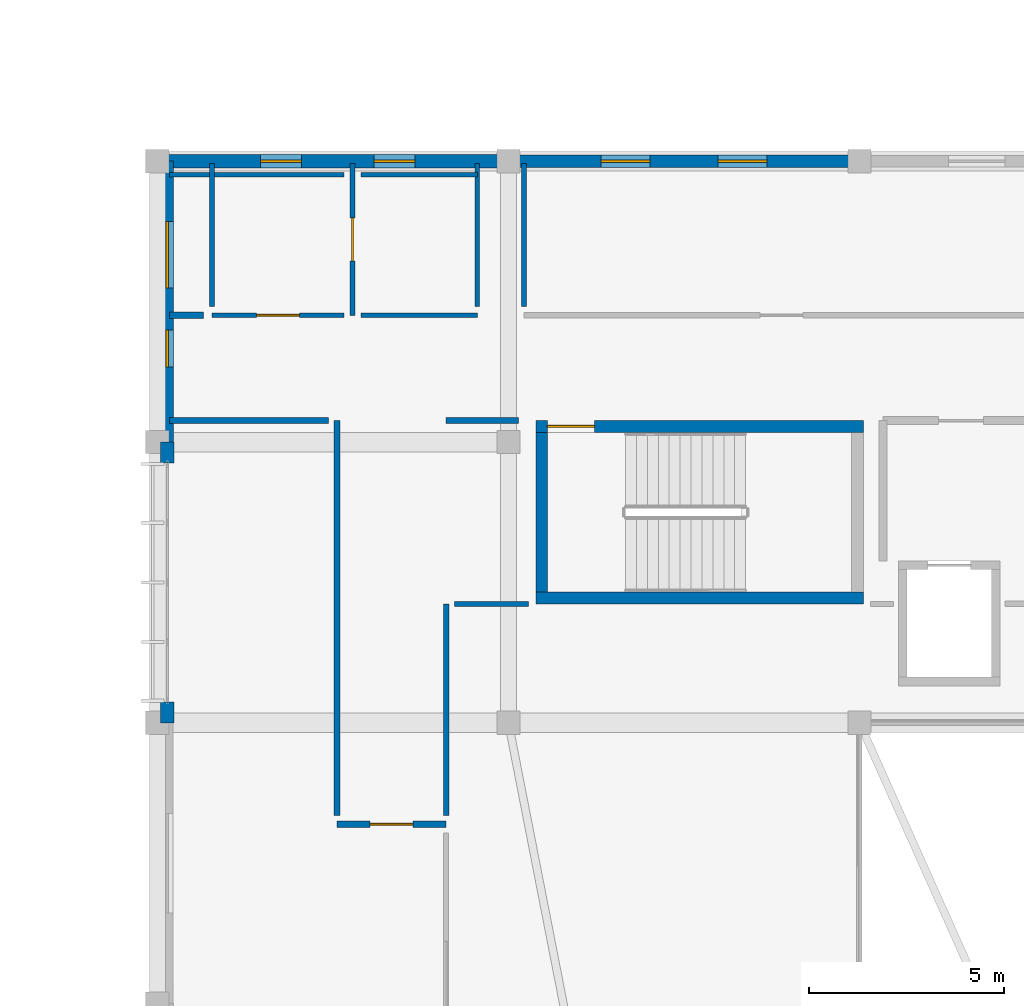
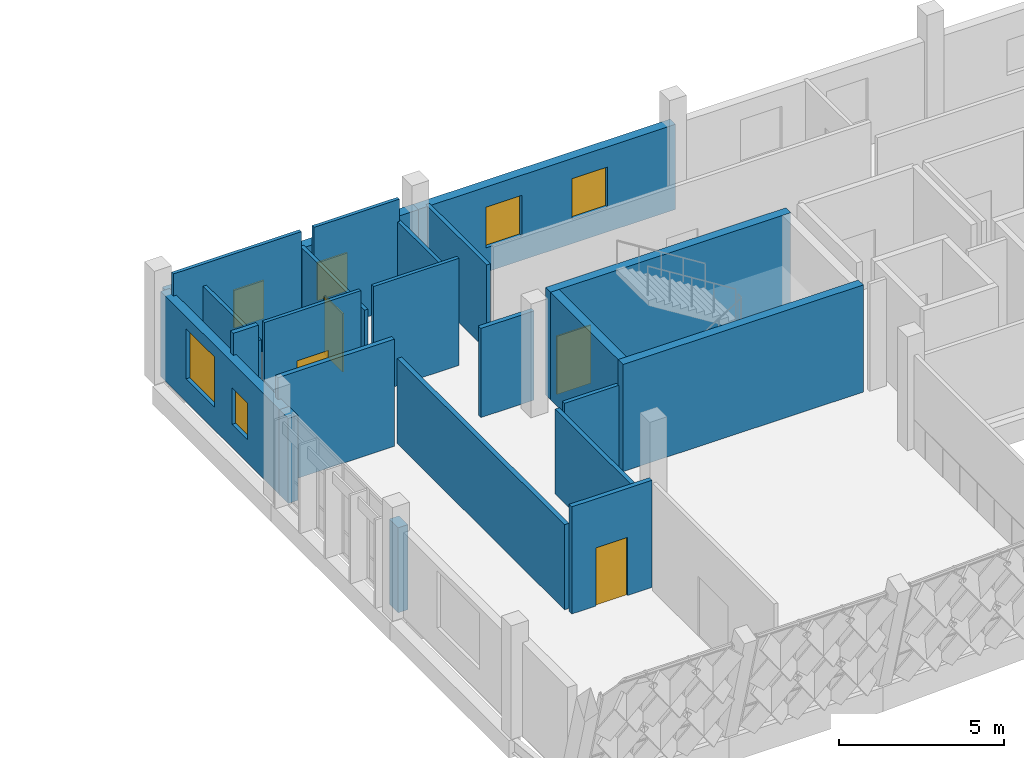
# One storey, part 91 of 107: 23 walls, 6 windows, 4 doors, 10 openings.
"""IFC4 building model written with IfcOpenShell, lengths in metres."""

import ifcopenshell
import ifcopenshell.guid

model = None  # the IFC model being written
_history = None  # IfcOwnerHistory: only IFC2X3 demands one
_inside = {}  # id of a spatial element -> (the spatial element, [elements in it])
_under = {}  # id of a project, library or spatial element -> (it, [spatial elements below it])
_declared = {}  # id of a project -> (the project, [libraries it declares])
_typed = {}  # id of a type object -> (the type object, [elements of that type])
_made_of = {}  # id of a material, layer set ... -> (it, [elements and type objects made of it])


def new_model(schema):
    """Start an empty IFC model of exactly this schema.

    Asked for "IFC4X3", IfcOpenShell would pick the latest addendum, in which some entities
    have other attributes; the version numbers below select the first issue.
    IFC2X3 requires an IfcOwnerHistory on every rooted entity: one is made here for all.
    """
    global model, _history
    if schema == "IFC4X3":
        model = ifcopenshell.file(schema_version=(4, 3, 0, 0))
    else:
        model = ifcopenshell.file(schema=schema)
    _inside.clear()
    _under.clear()
    _declared.clear()
    _typed.clear()
    _made_of.clear()
    _history = None
    if model.schema == "IFC2X3":
        org = make("IfcOrganization", Name="unknown")
        user = make(
            "IfcPersonAndOrganization",
            ThePerson=make("IfcPerson", FamilyName="unknown"),
            TheOrganization=org,
        )
        app = make(
            "IfcApplication",
            ApplicationDeveloper=org,
            Version="unknown",
            ApplicationFullName="unknown",
            ApplicationIdentifier="unknown",
        )
        _history = make(
            "IfcOwnerHistory",
            OwningUser=user,
            OwningApplication=app,
            ChangeAction="ADDED",
            CreationDate=0,
        )
    return model


def make(cls, **values):
    """One entity of the class cls with the attributes given. An attribute that is None is left unset."""
    return model.create_entity(
        cls, **{name: value for name, value in values.items() if value is not None}
    )


def rooted(cls, **values):
    """An entity with a GlobalId (a new one), such as an element, a storey or a relation."""
    return make(cls, GlobalId=ifcopenshell.guid.new(), OwnerHistory=_history, **values)


def si_unit(unit_type, name, prefix=None):
    """IfcSIUnit, for example si_unit("LENGTHUNIT", "METRE", prefix="MILLI")."""
    return make("IfcSIUnit", UnitType=unit_type, Prefix=prefix, Name=name)


def assignment(units):
    """IfcUnitAssignment: the units of a project."""
    return None if units is None else make("IfcUnitAssignment", Units=units)


def point(xyz):
    """IfcCartesianPoint."""
    return None if xyz is None else make("IfcCartesianPoint", Coordinates=xyz)


def direction(xyz):
    """IfcDirection."""
    return None if xyz is None else make("IfcDirection", DirectionRatios=xyz)


def frame(location, z_axis=None, x_axis=None):
    """IfcAxis2Placement3D, a coordinate frame: its origin and axes. An axis left out is left unset."""
    return make(
        "IfcAxis2Placement3D",
        Location=point(location),
        Axis=direction(z_axis),
        RefDirection=direction(x_axis),
    )


def frame_2d(location, x_axis=None):
    """IfcAxis2Placement2D, a coordinate frame in the plane: its origin and x axis."""
    return make(
        "IfcAxis2Placement2D", Location=point(location), RefDirection=direction(x_axis)
    )


def origin():
    """The frame at (0, 0, 0) with its axes left unset."""
    return frame((0.0, 0.0, 0.0))


def place(relative_to, where):
    """IfcLocalPlacement: puts the frame where relative to a parent placement (None: the world)."""
    return make(
        "IfcLocalPlacement", PlacementRelTo=relative_to, RelativePlacement=where
    )


def context(
    kind, dimensions, precision=None, world=None, true_north=None, identifier=None
):
    """IfcGeometricRepresentationContext, for example the 3D "Model" context."""
    return make(
        "IfcGeometricRepresentationContext",
        ContextIdentifier=identifier,
        ContextType=kind,
        CoordinateSpaceDimension=dimensions,
        Precision=precision,
        WorldCoordinateSystem=world,
        TrueNorth=true_north,
    )


def subcontext(parent, identifier, kind, view, scale=None):
    """IfcGeometricRepresentationSubContext, for example "Body" below "Model"."""
    return make(
        "IfcGeometricRepresentationSubContext",
        ContextIdentifier=identifier,
        ContextType=kind,
        ParentContext=parent,
        TargetScale=scale,
        TargetView=view,
    )


def project(units=None, contexts=None):
    """IfcProject with its units and contexts."""
    return rooted(
        "IfcProject",
        Name="project",
        RepresentationContexts=contexts,
        UnitsInContext=assignment(units),
    )


def spatial(cls, under=None, at=None, **own):
    """A site, building, storey or space (cls), placed at a placement, below another one or the project."""
    s = rooted(cls, ObjectPlacement=at, **own)
    if under is not None:
        _under.setdefault(under.id(), (under, []))[1].append(s)
    return s


def profile(cls, at=None, kind="AREA", **sizes):
    """A parametric profile (cls). Its sizes go by their IFC names, for example OverallWidth=200.0."""
    return make(cls, ProfileType=kind, Position=at, **sizes)


def rectangle(**sizes):
    """IfcRectangleProfileDef."""
    return profile("IfcRectangleProfileDef", **sizes)


def extrude(swept, where, along, depth):
    """IfcExtrudedAreaSolid: the profile swept, set in the frame where, extruded along a direction by depth."""
    return make(
        "IfcExtrudedAreaSolid",
        SweptArea=swept,
        Position=where,
        ExtrudedDirection=direction(along),
        Depth=depth,
    )


def shape(context_of_items, identifier, shape_type, items):
    """IfcShapeRepresentation: the items that make up one representation, for example the "Body"."""
    return make(
        "IfcShapeRepresentation",
        ContextOfItems=context_of_items,
        RepresentationIdentifier=identifier,
        RepresentationType=shape_type,
        Items=items,
    )


def material(Name=None, Category=None):
    """IfcMaterial."""
    return make("IfcMaterial", Name=Name, Category=Category)


def layer(
    of_material, thickness, ventilated=None, Name=None, Category=None, Priority=None
):
    """IfcMaterialLayer: one layer of a wall or slab, of a material (None: an air gap)."""
    return make(
        "IfcMaterialLayer",
        Material=of_material,
        LayerThickness=thickness,
        IsVentilated=ventilated,
        Name=Name,
        Category=Category,
        Priority=Priority,
    )


def layer_set(layers, Name=None):
    """IfcMaterialLayerSet."""
    return make("IfcMaterialLayerSet", MaterialLayers=layers, LayerSetName=Name)


def made_of(thing, what):
    """Note that an element or type object is made of a material, layer set ...; save() writes the relation."""
    if what is not None:
        _made_of.setdefault(what.id(), (what, []))[1].append(thing)
    return thing


def type_object(cls, material=None, **own):
    """A type object (cls), such as IfcWallType, which elements share."""
    return made_of(rooted(cls, **own), material)


def element(
    cls,
    number,
    at=None,
    inside=None,
    cuts=None,
    type_object=None,
    material=None,
    context=None,
    identifier="Body",
    shape_type=None,
    held_by="IfcProductDefinitionShape",
    body=None,
    shapes=None,
    **own,
):
    """One element of the class cls, such as IfcWall. Its Tag is "e" and its number.

    at: its placement. inside: the storey or other place that contains it. cuts: it is an
    opening in that element (IfcRelVoidsElement). A single representation is given by context,
    identifier, shape_type and body (its items); several are given by shapes. held_by: the class
    of the entity that holds the representations. save() writes the other relations.
    """
    e = rooted(cls, Tag="e%d" % number, ObjectPlacement=at, **own)
    if body is not None:
        shapes = [shape(context, identifier, shape_type, body)]
    if shapes is not None:
        e.Representation = make(held_by, Representations=shapes)
    if inside is not None:
        _inside.setdefault(inside.id(), (inside, []))[1].append(e)
    if cuts is not None:
        rooted(
            "IfcRelVoidsElement", RelatingBuildingElement=cuts, RelatedOpeningElement=e
        )
    if type_object is not None:
        _typed.setdefault(type_object.id(), (type_object, []))[1].append(e)
    return made_of(e, material)


def fill(opening, filler):
    """IfcRelFillsElement: the door or window that sits in an opening."""
    return rooted(
        "IfcRelFillsElement",
        RelatingOpeningElement=opening,
        RelatedBuildingElement=filler,
    )


def aggregate(whole, parts):
    """IfcRelAggregates: a whole, such as a stair, and the parts it consists of."""
    return rooted("IfcRelAggregates", RelatingObject=whole, RelatedObjects=parts)


def save(model, path):
    """Write the relations noted so far, then the file.

    IfcRelAggregates (storeys below a building ...), IfcRelContainedInSpatialStructure (elements
    in a storey), IfcRelDefinesByType, IfcRelAssociatesMaterial and IfcRelDeclares: one each for
    every whole, place, type object, material and project.
    """
    for whole, parts in _under.values():
        aggregate(whole, parts)
    for where, things in _inside.values():
        rooted(
            "IfcRelContainedInSpatialStructure",
            RelatedElements=things,
            RelatingStructure=where,
        )
    for kind, things in _typed.values():
        rooted("IfcRelDefinesByType", RelatedObjects=things, RelatingType=kind)
    for what, things in _made_of.values():
        rooted("IfcRelAssociatesMaterial", RelatedObjects=things, RelatingMaterial=what)
    for by, libraries in _declared.values():
        rooted("IfcRelDeclares", RelatingContext=by, RelatedDefinitions=libraries)
    model.write(path)


model = new_model("IFC4")

# Units and contexts
model_context = context("Model", 3, precision=1e-05, world=origin(), true_north=direction((0.0, 1.0)))
body_context = subcontext(model_context, "Body", "Model", "MODEL_VIEW")
ifc_project = project(units=[si_unit("LENGTHUNIT", "METRE"), si_unit("AREAUNIT", "SQUARE_METRE"), si_unit("VOLUMEUNIT", "CUBIC_METRE"), si_unit("PLANEANGLEUNIT", "RADIAN"), si_unit("MASSUNIT", "GRAM", prefix="KILO")], contexts=[model_context])

# Site, building, storey
site_placement = place(None, origin())
site = spatial("IfcSite", under=ifc_project, at=site_placement, CompositionType="ELEMENT")
building_placement = place(site_placement, origin())
building = spatial("IfcBuilding", under=site, at=building_placement, Name="Chiffa Square Polytechnic", CompositionType="ELEMENT")
storey_placement = place(building_placement, frame((0.0, 0.0, 13.800048828125)))
storey = spatial("IfcBuildingStorey", under=building, at=storey_placement, Name="L03", CompositionType="ELEMENT", Elevation=13.800048828125)

# Wall
ifc_material_1 = material(Name="Concrete C40/50", Category="concrete")
ifc_layer_1 = layer(ifc_material_1, 0.300048828125, Name="Concrete C40/50")
ifc_layer_set_1 = layer_set([ifc_layer_1], Name="Concrete C40/50")
wall_type_1 = type_object("IfcWallType", Name="WL-CORE-300", PredefinedType="SHEAR", material=ifc_layer_set_1)
wall_1_placement = place(storey_placement, frame((121.89990234375, 17.60009765625, 0.0), z_axis=(0.0, 0.0, 1.0), x_axis=(1.0, 0.0, 0.0)))
element("IfcWall", 1, at=wall_1_placement, inside=storey, type_object=wall_type_1, Name="Core or enclosure wall WC-CORE-V1A-L03-SOUTH", PredefinedType="SHEAR", context=body_context, shape_type="SweptSolid", body=[
    extrude(rectangle(XDim=8.400146484375, YDim=0.300048828125, at=frame_2d((4.2001953125, 0.0))), origin(), (0.0, 0.0, 1.0), 3.9599609375),
])

# Wall, opening, door
wall_2_placement = place(storey_placement, frame((121.89990234375, 22.0, 0.0), z_axis=(0.0, 0.0, 1.0), x_axis=(1.0, 0.0, 0.0)))
wall_2 = element("IfcWall", 2, at=wall_2_placement, inside=storey, type_object=wall_type_1, Name="Core or enclosure wall WC-CORE-V1A-L03-NORTH", PredefinedType="SHEAR", context=body_context, shape_type="SweptSolid", body=[
    extrude(rectangle(XDim=8.400146484375, YDim=0.300048828125, at=frame_2d((4.2001953125, 0.0))), origin(), (0.0, 0.0, 1.0), 3.9599609375),
])
opening_1_placement = place(wall_2_placement, frame((0.300048828125, 0.0, 0.0)))
opening_1 = element("IfcOpeningElement", 3, at=opening_1_placement, cuts=wall_2, Name="Opening DS-L03-005", PredefinedType="OPENING", context=body_context, shape_type="SweptSolid", body=[
    extrude(rectangle(XDim=1.199951171875, YDim=2.14990234375, at=frame_2d((0.60009765625, 1.074951171875))), frame((0.0, 0.16015625, 0.0), z_axis=(0.0, -1.0, 0.0), x_axis=(1.0, 0.0, 0.0)), (0.0, 0.0, 1.0), 0.320068359375),
])
ifc_material_2 = material(Name="Fire-rated painted steel leaf", Category="steel")
door_type_1 = type_object("IfcDoorType", Name="DR-STAIR-1200", OperationType="NOTDEFINED", PredefinedType="DOOR", material=ifc_material_2)
door_1_placement = place(opening_1_placement, origin())
door_1 = element("IfcDoor", 4, at=door_1_placement, inside=storey, type_object=door_type_1, Name="Enclosure door DS-L03-005", OperationType="SINGLE_SWING_LEFT", OverallHeight=2.14990234375, OverallWidth=1.199951171875, PredefinedType="DOOR", context=body_context, shape_type="SweptSolid", body=[
    extrude(rectangle(XDim=1.199951171875, YDim=2.14990234375, at=frame_2d((0.60009765625, 1.074951171875))), frame((0.0, 0.02490234375, 0.0), z_axis=(0.0, -1.0, 0.0), x_axis=(1.0, 0.0, 0.0)), (0.0, 0.0, 1.0), 0.050048828125),
])
fill(opening_1, door_1)

# Wall
wall_3_placement = place(storey_placement, frame((122.050048828125, 17.75, 0.0), z_axis=(0.0, 0.0, 1.0), x_axis=(0.0, 1.0, 0.0)))
element("IfcWall", 5, at=wall_3_placement, inside=storey, type_object=wall_type_1, Name="Core or enclosure wall WC-CORE-V1A-L03-WEST", PredefinedType="SHEAR", context=body_context, shape_type="SweptSolid", body=[
    extrude(rectangle(XDim=4.10009765625, YDim=0.300048828125, at=frame_2d((2.050048828125, 0.0))), origin(), (0.0, 0.0, 1.0), 3.9599609375),
])

# Wall, openings, windows
ifc_material_3 = material(Name="Precast concrete C40/50", Category="concrete")
ifc_layer_2 = layer(ifc_material_3, 0.320068359375, Name="Precast concrete C40/50")
ifc_layer_set_2 = layer_set([ifc_layer_2], Name="Precast concrete C40/50")
wall_type_2 = type_object("IfcWallType", Name="WL-EXT-PC320", PredefinedType="SOLIDWALL", material=ifc_layer_set_2)
wall_4_placement = place(storey_placement, frame((130.199951171875, 28.800048828125, 0.0), z_axis=(0.0, 0.0, 1.0), x_axis=(-1.0, 0.0, 0.0)))
wall_4 = element("IfcWall", 6, at=wall_4_placement, inside=storey, type_object=wall_type_2, Name="Exterior wall WE-V1-L03-0053", PredefinedType="SOLIDWALL", context=body_context, shape_type="SweptSolid", body=[
    extrude(rectangle(XDim=9.0, YDim=0.320068359375, at=frame_2d((4.5, 0.0))), origin(), (0.0, 0.0, 1.0), 3.14501953125),
])
opening_2_placement = place(wall_4_placement, frame((2.375, 0.0, 0.89990234375)))
opening_2 = element("IfcOpeningElement", 7, at=opening_2_placement, cuts=wall_4, Name="Opening W-18", PredefinedType="OPENING", context=body_context, shape_type="SweptSolid", body=[
    extrude(rectangle(XDim=1.25, YDim=1.5, at=frame_2d((0.625, 0.75))), frame((0.0, 0.169921875, 0.0), z_axis=(0.0, -1.0, 0.0), x_axis=(1.0, 0.0, 0.0)), (0.0, 0.0, 1.0), 0.340087890625),
])
opening_3_placement = place(wall_4_placement, frame((5.375, 0.0, 0.89990234375)))
opening_3 = element("IfcOpeningElement", 8, at=opening_3_placement, cuts=wall_4, Name="Opening W-18", PredefinedType="OPENING", context=body_context, shape_type="SweptSolid", body=[
    extrude(rectangle(XDim=1.25, YDim=1.5, at=frame_2d((0.625, 0.75))), frame((0.0, 0.169921875, 0.0), z_axis=(0.0, -1.0, 0.0), x_axis=(1.0, 0.0, 0.0)), (0.0, 0.0, 1.0), 0.340087890625),
])
ifc_material_4 = material(Name="Double glazing in thermally broken aluminium frame", Category="aluminium")
window_type_1 = type_object("IfcWindowType", Name="WIN-OFF-1250X1500", PartitioningType="DOUBLE_PANEL_VERTICAL", PredefinedType="WINDOW", material=ifc_material_4)
window_1_placement = place(opening_2_placement, origin())
window_1 = element("IfcWindow", 9, at=window_1_placement, inside=storey, type_object=window_type_1, Name="Facade window WN-L03-0051", OverallHeight=1.5, OverallWidth=1.25, PartitioningType="DOUBLE_PANEL_VERTICAL", PredefinedType="WINDOW", context=body_context, shape_type="SweptSolid", body=[
    extrude(rectangle(XDim=1.25, YDim=1.5, at=frame_2d((0.625, 0.75))), frame((0.0, 0.030029296875, 0.0), z_axis=(0.0, -1.0, 0.0), x_axis=(1.0, 0.0, 0.0)), (0.0, 0.0, 1.0), 0.06005859375),
])
fill(opening_2, window_1)
window_2_placement = place(opening_3_placement, origin())
window_2 = element("IfcWindow", 10, at=window_2_placement, inside=storey, type_object=window_type_1, Name="Facade window WN-L03-0052", OverallHeight=1.5, OverallWidth=1.25, PartitioningType="DOUBLE_PANEL_VERTICAL", PredefinedType="WINDOW", context=body_context, shape_type="SweptSolid", body=[
    extrude(rectangle(XDim=1.25, YDim=1.5, at=frame_2d((0.625, 0.75))), frame((0.0, 0.030029296875, 0.0), z_axis=(0.0, -1.0, 0.0), x_axis=(1.0, 0.0, 0.0)), (0.0, 0.0, 1.0), 0.06005859375),
])
fill(opening_3, window_2)

wall_5_placement = place(storey_placement, frame((112.449951171875, 28.800048828125, 0.0), z_axis=(0.0, 0.0, 1.0), x_axis=(0.0, -1.0, 0.0)))
wall_5 = element("IfcWall", 11, at=wall_5_placement, inside=storey, type_object=wall_type_2, Name="Exterior wall WE-V1-L03-0055", PredefinedType="SOLIDWALL", context=body_context, shape_type="SweptSolid", body=[
    extrude(rectangle(XDim=7.199951171875, YDim=0.320068359375, at=frame_2d((3.60009765625, 0.0))), origin(), (0.0, 0.0, 1.0), 3.14501953125),
])
opening_4_placement = place(wall_5_placement, frame((1.550048828125, 0.0, 0.85009765625)))
opening_4 = element("IfcOpeningElement", 12, at=opening_4_placement, cuts=wall_5, Name="Opening W-14", PredefinedType="OPENING", context=body_context, shape_type="SweptSolid", body=[
    extrude(rectangle(XDim=1.699951171875, YDim=1.85009765625, at=frame_2d((0.85009765625, 0.925048828125))), frame((0.0, 0.169921875, 0.0), z_axis=(0.0, -1.0, 0.0), x_axis=(1.0, 0.0, 0.0)), (0.0, 0.0, 1.0), 0.340087890625),
])
opening_5_placement = place(wall_5_placement, frame((4.324951171875, 0.0, 0.85009765625)))
opening_5 = element("IfcOpeningElement", 13, at=opening_5_placement, cuts=wall_5, Name="Opening W-21", PredefinedType="OPENING", context=body_context, shape_type="SweptSolid", body=[
    extrude(rectangle(XDim=0.949951171875, YDim=1.35009765625, at=frame_2d((0.47509765625, 0.675048828125))), frame((0.0, 0.169921875, 0.0), z_axis=(0.0, -1.0, 0.0), x_axis=(1.0, 0.0, 0.0)), (0.0, 0.0, 1.0), 0.340087890625),
])
window_type_2 = type_object("IfcWindowType", Name="WIN-OFF-0950X1350", PartitioningType="DOUBLE_PANEL_VERTICAL", PredefinedType="WINDOW", material=ifc_material_4)
window_3_placement = place(opening_5_placement, origin())
window_3 = element("IfcWindow", 14, at=window_3_placement, inside=storey, type_object=window_type_2, Name="Facade window WN-L03-0056", OverallHeight=1.35009765625, OverallWidth=0.949951171875, PartitioningType="DOUBLE_PANEL_VERTICAL", PredefinedType="WINDOW", context=body_context, shape_type="SweptSolid", body=[
    extrude(rectangle(XDim=0.949951171875, YDim=1.35009765625, at=frame_2d((0.47509765625, 0.675048828125))), frame((0.0, 0.030029296875, 0.0), z_axis=(0.0, -1.0, 0.0), x_axis=(1.0, 0.0, 0.0)), (0.0, 0.0, 1.0), 0.06005859375),
])
fill(opening_5, window_3)
window_type_3 = type_object("IfcWindowType", Name="WIN-STD-1700X1850", PartitioningType="DOUBLE_PANEL_VERTICAL", PredefinedType="WINDOW", material=ifc_material_4)
window_4_placement = place(opening_4_placement, origin())
window_4 = element("IfcWindow", 15, at=window_4_placement, inside=storey, type_object=window_type_3, Name="Facade window WN-L03-0055", OverallHeight=1.85009765625, OverallWidth=1.699951171875, PartitioningType="DOUBLE_PANEL_VERTICAL", PredefinedType="WINDOW", context=body_context, shape_type="SweptSolid", body=[
    extrude(rectangle(XDim=1.699951171875, YDim=1.85009765625, at=frame_2d((0.85009765625, 0.925048828125))), frame((0.0, 0.030029296875, 0.0), z_axis=(0.0, -1.0, 0.0), x_axis=(1.0, 0.0, 0.0)), (0.0, 0.0, 1.0), 0.06005859375),
])
fill(opening_4, window_4)

ifc_layer_3 = layer(ifc_material_3, 0.340087890625, Name="Precast concrete C40/50")
ifc_layer_set_3 = layer_set([ifc_layer_3], Name="Precast concrete C40/50")
wall_type_3 = type_object("IfcWallType", Name="WL-EXT-PC340", PredefinedType="SOLIDWALL", material=ifc_layer_set_3)
wall_6_placement = place(storey_placement, frame((121.199951171875, 28.800048828125, 0.0), z_axis=(0.0, 0.0, 1.0), x_axis=(-1.0, 0.0, 0.0)))
wall_6 = element("IfcWall", 16, at=wall_6_placement, inside=storey, type_object=wall_type_3, Name="Exterior wall WE-V1-L03-0054", PredefinedType="SOLIDWALL", context=body_context, shape_type="SweptSolid", body=[
    extrude(rectangle(XDim=8.75, YDim=0.340087890625, at=frame_2d((4.375, 0.0))), origin(), (0.0, 0.0, 1.0), 3.14501953125),
])
opening_6_placement = place(wall_6_placement, frame((2.39208984375, 0.0, 0.89990234375)))
opening_6 = element("IfcOpeningElement", 17, at=opening_6_placement, cuts=wall_6, Name="Opening W-20", PredefinedType="OPENING", context=body_context, shape_type="SweptSolid", body=[
    extrude(rectangle(XDim=1.050048828125, YDim=1.39990234375, at=frame_2d((0.52490234375, 0.699951171875))), frame((0.0, 0.18017578125, 0.0), z_axis=(0.0, -1.0, 0.0), x_axis=(1.0, 0.0, 0.0)), (0.0, 0.0, 1.0), 0.360107421875),
])
opening_7_placement = place(wall_6_placement, frame((5.30810546875, 0.0, 0.89990234375)))
opening_7 = element("IfcOpeningElement", 18, at=opening_7_placement, cuts=wall_6, Name="Opening W-20", PredefinedType="OPENING", context=body_context, shape_type="SweptSolid", body=[
    extrude(rectangle(XDim=1.050048828125, YDim=1.39990234375, at=frame_2d((0.52490234375, 0.699951171875))), frame((0.0, 0.18017578125, 0.0), z_axis=(0.0, -1.0, 0.0), x_axis=(1.0, 0.0, 0.0)), (0.0, 0.0, 1.0), 0.360107421875),
])
window_type_4 = type_object("IfcWindowType", Name="WIN-OFF-1050X1400", PartitioningType="DOUBLE_PANEL_VERTICAL", PredefinedType="WINDOW", material=ifc_material_4)
window_5_placement = place(opening_6_placement, origin())
window_5 = element("IfcWindow", 19, at=window_5_placement, inside=storey, type_object=window_type_4, Name="Facade window WN-L03-0053", OverallHeight=1.39990234375, OverallWidth=1.050048828125, PartitioningType="DOUBLE_PANEL_VERTICAL", PredefinedType="WINDOW", context=body_context, shape_type="SweptSolid", body=[
    extrude(rectangle(XDim=1.050048828125, YDim=1.39990234375, at=frame_2d((0.52490234375, 0.699951171875))), frame((0.0, 0.030029296875, 0.0), z_axis=(0.0, -1.0, 0.0), x_axis=(1.0, 0.0, 0.0)), (0.0, 0.0, 1.0), 0.06005859375),
])
fill(opening_6, window_5)
window_6_placement = place(opening_7_placement, origin())
window_6 = element("IfcWindow", 20, at=window_6_placement, inside=storey, type_object=window_type_4, Name="Facade window WN-L03-0054", OverallHeight=1.39990234375, OverallWidth=1.050048828125, PartitioningType="DOUBLE_PANEL_VERTICAL", PredefinedType="WINDOW", context=body_context, shape_type="SweptSolid", body=[
    extrude(rectangle(XDim=1.050048828125, YDim=1.39990234375, at=frame_2d((0.52490234375, 0.699951171875))), frame((0.0, 0.030029296875, 0.0), z_axis=(0.0, -1.0, 0.0), x_axis=(1.0, 0.0, 0.0)), (0.0, 0.0, 1.0), 0.06005859375),
])
fill(opening_7, window_6)

# Walls
for number, where, z_axis, x_axis, name in (
    (21, (112.449951171875, 21.60009765625, 0.0), (0.0, 0.0, 1.0), (0.0, -1.0, 0.0), "Facade column pier V1-L03-0056L"),
    (22, (112.449951171875, 14.93994140625, 0.0), (0.0, 0.0, 1.0), (0.0, -1.0, 0.0), "Facade column pier V1-L03-0056R"),
):
    element("IfcWall", number, at=place(storey_placement, frame(where, z_axis=z_axis, x_axis=x_axis)), inside=storey, type_object=wall_type_3, Name=name, PredefinedType="SOLIDWALL", context=body_context, shape_type="SweptSolid", body=[
        extrude(rectangle(XDim=0.5400390625, YDim=0.340087890625, at=frame_2d((0.27001953125, 0.0))), origin(), (0.0, 0.0, 1.0), 3.14501953125),
    ])
ifc_material_5 = material(Name="Gypsum board on steel stud", Category="steel")
ifc_layer_4 = layer(ifc_material_5, 0.135009765625, Name="Gypsum board on steel stud")
ifc_layer_set_4 = layer_set([ifc_layer_4], Name="Gypsum board on steel stud")
wall_type_4 = type_object("IfcWallType", Name="WL-PART-135", PredefinedType="PARTITIONING", material=ifc_layer_set_4)
wall_7_placement = place(storey_placement, frame((121.60009765625, 25.070068359375, 0.0), z_axis=(0.0, 0.0, 1.0), x_axis=(0.0, 1.0, 0.0)))
element("IfcWall", 23, at=wall_7_placement, inside=storey, type_object=wall_type_4, Name="Interior partition WP-V1-L03-0526", PredefinedType="PARTITIONING", context=body_context, shape_type="SweptSolid", body=[
    extrude(rectangle(XDim=3.675048828125, YDim=0.135009765625, at=frame_2d((1.83740234375, 0.0))), origin(), (0.0, 0.0, 1.0), 3.14501953125),
])
wall_8_placement = place(storey_placement, frame((119.820068359375, 17.449951171875, 0.0), z_axis=(0.0, 0.0, 1.0), x_axis=(1.0, 0.0, 0.0)))
element("IfcWall", 24, at=wall_8_placement, inside=storey, type_object=wall_type_4, Name="Interior partition WP-V1-L03-0547", PredefinedType="PARTITIONING", context=body_context, shape_type="SweptSolid", body=[
    extrude(rectangle(XDim=1.892822265625, YDim=0.135009765625, at=frame_2d((0.9462890625, 0.0))), origin(), (0.0, 0.0, 1.0), 3.294921875),
])
ifc_layer_5 = layer(ifc_material_5, 0.14501953125, Name="Gypsum board on steel stud")
ifc_layer_set_5 = layer_set([ifc_layer_5], Name="Gypsum board on steel stud")
wall_type_5 = type_object("IfcWallType", Name="WL-PART-145", PredefinedType="PARTITIONING", material=ifc_layer_set_5)
wall_9_placement = place(storey_placement, frame((119.60009765625, 12.02001953125, 0.0), z_axis=(0.0, 0.0, 1.0), x_axis=(0.0, 1.0, 0.0)))
element("IfcWall", 25, at=wall_9_placement, inside=storey, type_object=wall_type_5, Name="Interior partition WP-V1-L03-0546", PredefinedType="PARTITIONING", context=body_context, shape_type="SweptSolid", body=[
    extrude(rectangle(XDim=5.429931640625, YDim=0.14501953125, at=frame_2d((2.71484375, 0.0))), origin(), (0.0, 0.0, 1.0), 3.14501953125),
])

# Wall, opening, door
ifc_material_6 = material(Name="Gypsum board on acoustic steel stud", Category="steel")
ifc_layer_6 = layer(ifc_material_6, 0.159912109375, Name="Gypsum board on acoustic steel stud")
ifc_layer_set_6 = layer_set([ifc_layer_6], Name="Gypsum board on acoustic steel stud")
wall_type_6 = type_object("IfcWallType", Name="WL-PART-EI60-160", PredefinedType="PARTITIONING", material=ifc_layer_set_6)
wall_10_placement = place(storey_placement, frame((116.800048828125, 11.800048828125, 0.0), z_axis=(0.0, 0.0, 1.0), x_axis=(1.0, 0.0, 0.0)))
wall_10 = element("IfcWall", 26, at=wall_10_placement, inside=storey, type_object=wall_type_6, Name="Interior partition WP-V1-L03-0532", PredefinedType="PARTITIONING", context=body_context, shape_type="SweptSolid", body=[
    extrude(rectangle(XDim=2.800048828125, YDim=0.159912109375, at=frame_2d((1.39990234375, 0.0))), origin(), (0.0, 0.0, 1.0), 3.9599609375),
])
opening_8_placement = place(wall_10_placement, frame((0.85009765625, 0.0, 0.0)))
opening_8 = element("IfcOpeningElement", 27, at=opening_8_placement, cuts=wall_10, Name="Opening DI-L03-199", PredefinedType="OPENING", context=body_context, shape_type="SweptSolid", body=[
    extrude(rectangle(XDim=1.10009765625, YDim=2.14990234375, at=frame_2d((0.550048828125, 1.074951171875))), frame((0.0, 0.08984375, 0.0), z_axis=(0.0, -1.0, 0.0), x_axis=(1.0, 0.0, 0.0)), (0.0, 0.0, 1.0), 0.179931640625),
])
ifc_material_7 = material(Name="Solid core ash veneer door")
door_type_2 = type_object("IfcDoorType", Name="DR-INT-1100", OperationType="NOTDEFINED", PredefinedType="DOOR", material=ifc_material_7)
door_2_placement = place(opening_8_placement, origin())
door_2 = element("IfcDoor", 28, at=door_2_placement, inside=storey, type_object=door_type_2, Name="Interior room door DI-L03-199", OperationType="SINGLE_SWING_LEFT", OverallHeight=2.14990234375, OverallWidth=1.10009765625, PredefinedType="DOOR", context=body_context, shape_type="SweptSolid", body=[
    extrude(rectangle(XDim=1.10009765625, YDim=2.14990234375, at=frame_2d((0.550048828125, 1.074951171875))), frame((0.0, 0.02490234375, 0.0), z_axis=(0.0, -1.0, 0.0), x_axis=(1.0, 0.0, 0.0)), (0.0, 0.0, 1.0), 0.050048828125),
])
fill(opening_8, door_2)

# Walls
wall_11_placement = place(storey_placement, frame((116.800048828125, 12.02001953125, 0.0), z_axis=(0.0, 0.0, 1.0), x_axis=(0.0, 1.0, 0.0)))
element("IfcWall", 29, at=wall_11_placement, inside=storey, type_object=wall_type_6, Name="Interior partition WP-V1-L03-0533", PredefinedType="PARTITIONING", context=body_context, shape_type="SweptSolid", body=[
    extrude(rectangle(XDim=10.1298828125, YDim=0.159912109375, at=frame_2d((5.06494140625, 0.0))), origin(), (0.0, 0.0, 1.0), 3.14501953125),
])
wall_12_placement = place(storey_placement, frame((112.5048828125, 22.14990234375, 0.0), z_axis=(0.0, 0.0, 1.0), x_axis=(1.0, 0.0, 0.0)))
element("IfcWall", 30, at=wall_12_placement, inside=storey, type_object=wall_type_6, Name="Interior partition WP-V1-L03-0534", PredefinedType="PARTITIONING", context=body_context, shape_type="SweptSolid", body=[
    extrude(rectangle(XDim=4.0751953125, YDim=0.159912109375, at=frame_2d((2.03759765625, 0.0))), origin(), (0.0, 0.0, 1.0), 3.9599609375),
])
wall_13_placement = place(storey_placement, frame((119.60009765625, 22.14990234375, 0.0), z_axis=(0.0, 0.0, 1.0), x_axis=(1.0, 0.0, 0.0)))
element("IfcWall", 31, at=wall_13_placement, inside=storey, type_object=wall_type_6, Name="Interior partition WP-V1-L03-0593", PredefinedType="PARTITIONING", context=body_context, shape_type="SweptSolid", body=[
    extrude(rectangle(XDim=1.85888671875, YDim=0.159912109375, at=frame_2d((0.929443359375, 0.0))), origin(), (0.0, 0.0, 1.0), 3.294921875),
])
wall_14_placement = place(storey_placement, frame((112.5048828125, 24.85009765625, 0.0), z_axis=(0.0, 0.0, 1.0), x_axis=(1.0, 0.0, 0.0)))
element("IfcWall", 32, at=wall_14_placement, inside=storey, type_object=wall_type_6, Name="Interior partition WP-V1-L03-0594", PredefinedType="PARTITIONING", context=body_context, shape_type="SweptSolid", body=[
    extrude(rectangle(XDim=0.875, YDim=0.159912109375, at=frame_2d((0.4375, 0.0))), origin(), (0.0, 0.0, 1.0), 3.9599609375),
])

# Wall, opening, door
ifc_material_8 = material(Name="Moisture-resistant board partition")
ifc_layer_7 = layer(ifc_material_8, 0.1201171875, Name="Moisture-resistant board partition")
ifc_layer_set_7 = layer_set([ifc_layer_7], Name="Moisture-resistant board partition")
wall_type_7 = type_object("IfcWallType", Name="WL-PART-WC-120", PredefinedType="PARTITIONING", material=ifc_layer_set_7)
wall_15_placement = place(storey_placement, frame((117.199951171875, 24.85009765625, 0.0), z_axis=(0.0, 0.0, 1.0), x_axis=(0.0, 1.0, 0.0)))
wall_15 = element("IfcWall", 33, at=wall_15_placement, inside=storey, type_object=wall_type_7, Name="Interior partition WP-V1-L03-0504", PredefinedType="PARTITIONING", context=body_context, shape_type="SweptSolid", body=[
    extrude(rectangle(XDim=3.89501953125, YDim=0.1201171875, at=frame_2d((1.947509765625, 0.0))), origin(), (0.0, 0.0, 1.0), 3.14501953125),
])
opening_9_placement = place(wall_15_placement, frame((1.39697265625, 0.0, 0.0)))
opening_9 = element("IfcOpeningElement", 34, at=opening_9_placement, cuts=wall_15, Name="Opening DI-L03-188", PredefinedType="OPENING", context=body_context, shape_type="SweptSolid", body=[
    extrude(rectangle(XDim=1.10009765625, YDim=2.14990234375, at=frame_2d((0.550048828125, 1.074951171875))), frame((0.0, 0.070068359375, 0.0), z_axis=(0.0, -1.0, 0.0), x_axis=(1.0, 0.0, 0.0)), (0.0, 0.0, 1.0), 0.14013671875),
])
door_3_placement = place(opening_9_placement, origin())
door_3 = element("IfcDoor", 35, at=door_3_placement, inside=storey, type_object=door_type_2, Name="Interior room door DI-L03-188", OperationType="SINGLE_SWING_RIGHT", OverallHeight=2.14990234375, OverallWidth=1.10009765625, PredefinedType="DOOR", context=body_context, shape_type="SweptSolid", body=[
    extrude(rectangle(XDim=1.10009765625, YDim=2.14990234375, at=frame_2d((0.550048828125, 1.074951171875))), frame((0.0, 0.02490234375, 0.0), z_axis=(0.0, -1.0, 0.0), x_axis=(1.0, 0.0, 0.0)), (0.0, 0.0, 1.0), 0.050048828125),
])
fill(opening_9, door_3)

# Walls
for number, where, z_axis, x_axis, name in (
    (36, (117.419921875, 24.85009765625, 0.0), (0.0, 0.0, 1.0), (1.0, 0.0, 0.0), "Interior partition WP-V1-L03-0505"),
    (37, (117.419921875, 28.449951171875, 0.0), (0.0, 0.0, 1.0), (1.0, 0.0, 0.0), "Interior partition WP-V1-L03-0506"),
):
    element("IfcWall", number, at=place(storey_placement, frame(where, z_axis=z_axis, x_axis=x_axis)), inside=storey, type_object=wall_type_7, Name=name, PredefinedType="PARTITIONING", context=body_context, shape_type="SweptSolid", body=[
        extrude(rectangle(XDim=2.97998046875, YDim=0.1201171875, at=frame_2d((1.489990234375, 0.0))), origin(), (0.0, 0.0, 1.0), 3.9599609375),
    ])
wall_16_placement = place(storey_placement, frame((120.39990234375, 25.070068359375, 0.0), z_axis=(0.0, 0.0, 1.0), x_axis=(0.0, 1.0, 0.0)))
element("IfcWall", 38, at=wall_16_placement, inside=storey, type_object=wall_type_7, Name="Interior partition WP-V1-L03-0507", PredefinedType="PARTITIONING", context=body_context, shape_type="SweptSolid", body=[
    extrude(rectangle(XDim=3.675048828125, YDim=0.1201171875, at=frame_2d((1.83740234375, 0.0))), origin(), (0.0, 0.0, 1.0), 3.14501953125),
])
wall_17_placement = place(storey_placement, frame((112.5048828125, 28.449951171875, 0.0), z_axis=(0.0, 0.0, 1.0), x_axis=(1.0, 0.0, 0.0)))
element("IfcWall", 39, at=wall_17_placement, inside=storey, type_object=wall_type_7, Name="Interior partition WP-V1-L03-0512", PredefinedType="PARTITIONING", context=body_context, shape_type="SweptSolid", body=[
    extrude(rectangle(XDim=4.47509765625, YDim=0.1201171875, at=frame_2d((2.237548828125, 0.0))), origin(), (0.0, 0.0, 1.0), 3.9599609375),
])

# Wall, opening, door
wall_18_placement = place(storey_placement, frame((113.60009765625, 24.85009765625, 0.0), z_axis=(0.0, 0.0, 1.0), x_axis=(1.0, 0.0, 0.0)))
wall_18 = element("IfcWall", 40, at=wall_18_placement, inside=storey, type_object=wall_type_7, Name="Interior partition WP-V1-L03-0513", PredefinedType="PARTITIONING", context=body_context, shape_type="SweptSolid", body=[
    extrude(rectangle(XDim=3.3798828125, YDim=0.1201171875, at=frame_2d((1.68994140625, 0.0))), origin(), (0.0, 0.0, 1.0), 3.9599609375),
])
opening_10_placement = place(wall_18_placement, frame((1.139892578125, 0.0, 0.0)))
opening_10 = element("IfcOpeningElement", 41, at=opening_10_placement, cuts=wall_18, Name="Opening DI-L03-190", PredefinedType="OPENING", context=body_context, shape_type="SweptSolid", body=[
    extrude(rectangle(XDim=1.10009765625, YDim=2.14990234375, at=frame_2d((0.550048828125, 1.074951171875))), frame((0.0, 0.070068359375, 0.0), z_axis=(0.0, -1.0, 0.0), x_axis=(1.0, 0.0, 0.0)), (0.0, 0.0, 1.0), 0.14013671875),
])
door_4_placement = place(opening_10_placement, origin())
door_4 = element("IfcDoor", 42, at=door_4_placement, inside=storey, type_object=door_type_2, Name="Interior room door DI-L03-190", OperationType="SINGLE_SWING_LEFT", OverallHeight=2.14990234375, OverallWidth=1.10009765625, PredefinedType="DOOR", context=body_context, shape_type="SweptSolid", body=[
    extrude(rectangle(XDim=1.10009765625, YDim=2.14990234375, at=frame_2d((0.550048828125, 1.074951171875))), frame((0.0, 0.02490234375, 0.0), z_axis=(0.0, -1.0, 0.0), x_axis=(1.0, 0.0, 0.0)), (0.0, 0.0, 1.0), 0.050048828125),
])
fill(opening_10, door_4)

# Wall
wall_19_placement = place(storey_placement, frame((113.60009765625, 25.070068359375, 0.0), z_axis=(0.0, 0.0, 1.0), x_axis=(0.0, 1.0, 0.0)))
element("IfcWall", 43, at=wall_19_placement, inside=storey, type_object=wall_type_7, Name="Interior partition WP-V1-L03-0514", PredefinedType="PARTITIONING", context=body_context, shape_type="SweptSolid", body=[
    extrude(rectangle(XDim=3.675048828125, YDim=0.1201171875, at=frame_2d((1.83740234375, 0.0))), origin(), (0.0, 0.0, 1.0), 3.14501953125),
])

save(model, "model.ifc")
